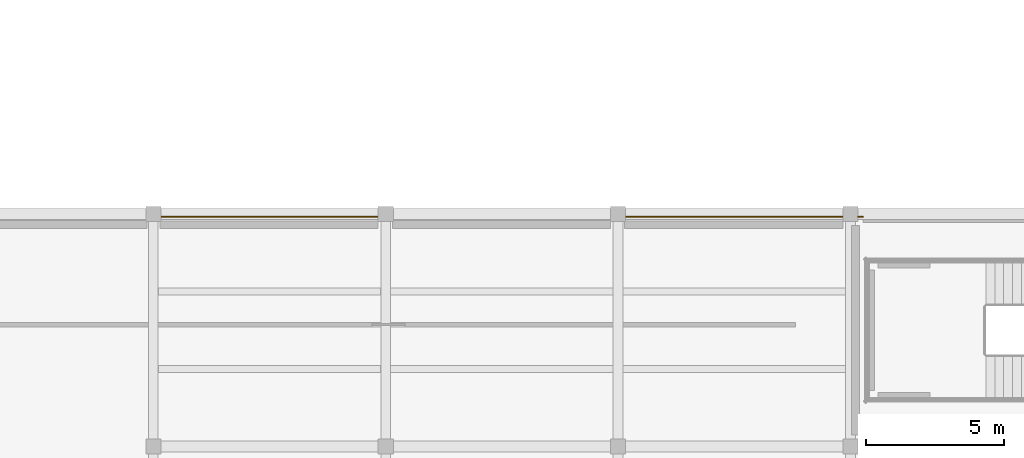
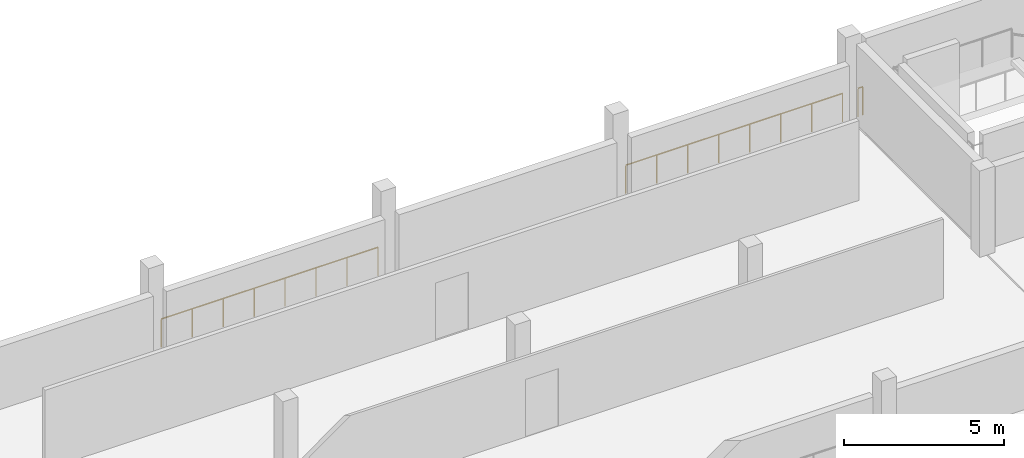
# One storey, part 42 of 43: 3 railings.
"""IFC4 building model written with IfcOpenShell, lengths in metres."""

from ifc_helpers import new_model, si_unit, derived_unit, direction, frame, origin, origin_2d, place, context, subcontext, project, spatial, circle, extrude, material, type_object, element, save


model = new_model("IFC4")

# Units and contexts
model_context = context("Model", 3, precision=1e-05, world=origin(), true_north=direction((0.0, 1.0)))
body_context = subcontext(model_context, "Body", "Model", "MODEL_VIEW")
ifc_project = project(units=[si_unit("LENGTHUNIT", "METRE"), si_unit("AREAUNIT", "SQUARE_METRE"), si_unit("VOLUMEUNIT", "CUBIC_METRE"), si_unit("PLANEANGLEUNIT", "RADIAN"), si_unit("MASSUNIT", "GRAM", prefix="KILO"), derived_unit("THERMALTRANSMITTANCEUNIT", [(si_unit("POWERUNIT", "WATT"), 1), (si_unit("LENGTHUNIT", "METRE"), -2), (si_unit("THERMODYNAMICTEMPERATUREUNIT", "KELVIN"), -1)])], contexts=[model_context])

# Site, building, storey
site_placement = place(None, origin())
site = spatial("IfcSite", under=ifc_project, at=site_placement, CompositionType="ELEMENT")
building_placement = place(site_placement, origin())
building = spatial("IfcBuilding", under=site, at=building_placement, Name="Elbkamm Science Centre", CompositionType="ELEMENT")
storey_placement = place(building_placement, frame((0.0, 0.0, 18.300048828125)))
storey = spatial("IfcBuildingStorey", under=building, at=storey_placement, Name="L04", CompositionType="ELEMENT", Elevation=18.300048828125)

# Railings
ifc_material = material(Name="Stainless steel EN 1.4401", Category="steel")
railing_type = type_object("IfcRailingType", Name="RAIL-EXT-GUARD-1100", PredefinedType="GUARDRAIL", material=ifc_material)
railing_1_placement = place(storey_placement, frame((101.080078125, 58.699951171875, 0.0)))
element("IfcRailing", 1, at=railing_1_placement, inside=storey, type_object=railing_type, Name="L04 Slab Edge Perimeter Guard 101", PredefinedType="GUARDRAIL", context=body_context, shape_type="SweptSolid", body=[
    extrude(circle(Radius=0.02392578125, at=origin_2d()), frame((0.0, 0.0, 1.078125), z_axis=(1.0, 0.0, 0.0), x_axis=(0.0, 1.0, 0.0)), (0.0, 0.0, 1.0), 7.83984375),
    extrude(circle(Radius=0.02001953125, at=origin_2d()), origin(), (0.0, 0.0, 1.0), 1.048095703125),
    extrude(circle(Radius=0.02001953125, at=origin_2d()), frame((1.119873046875, 0.0, 0.0)), (0.0, 0.0, 1.0), 1.048095703125),
    extrude(circle(Radius=0.02001953125, at=origin_2d()), frame((2.239990234375, 0.0, 0.0)), (0.0, 0.0, 1.0), 1.048095703125),
    extrude(circle(Radius=0.02001953125, at=origin_2d()), frame((3.35986328125, 0.0, 0.0)), (0.0, 0.0, 1.0), 1.048095703125),
    extrude(circle(Radius=0.02001953125, at=origin_2d()), frame((4.47998046875, 0.0, 0.0)), (0.0, 0.0, 1.0), 1.048095703125),
    extrude(circle(Radius=0.02001953125, at=origin_2d()), frame((5.599853515625, 0.0, 0.0)), (0.0, 0.0, 1.0), 1.048095703125),
    extrude(circle(Radius=0.02001953125, at=origin_2d()), frame((6.719970703125, 0.0, 0.0)), (0.0, 0.0, 1.0), 1.048095703125),
    extrude(circle(Radius=0.02001953125, at=origin_2d()), frame((7.83984375, 0.0, 0.0)), (0.0, 0.0, 1.0), 1.048095703125),
])
railing_2_placement = place(storey_placement, frame((117.8798828125, 58.699951171875, 0.0)))
element("IfcRailing", 2, at=railing_2_placement, inside=storey, type_object=railing_type, Name="L04 Slab Edge Perimeter Guard 102", PredefinedType="GUARDRAIL", context=body_context, shape_type="SweptSolid", body=[
    extrude(circle(Radius=0.02392578125, at=origin_2d()), frame((0.0, 0.0, 1.078125), z_axis=(1.0, 0.0, 0.0), x_axis=(0.0, 1.0, 0.0)), (0.0, 0.0, 1.0), 7.840087890625),
    extrude(circle(Radius=0.02001953125, at=origin_2d()), origin(), (0.0, 0.0, 1.0), 1.048095703125),
    extrude(circle(Radius=0.02001953125, at=origin_2d()), frame((1.1201171875, 0.0, 0.0)), (0.0, 0.0, 1.0), 1.048095703125),
    extrude(circle(Radius=0.02001953125, at=origin_2d()), frame((2.239990234375, 0.0, 0.0)), (0.0, 0.0, 1.0), 1.048095703125),
    extrude(circle(Radius=0.02001953125, at=origin_2d()), frame((3.360107421875, 0.0, 0.0)), (0.0, 0.0, 1.0), 1.048095703125),
    extrude(circle(Radius=0.02001953125, at=origin_2d()), frame((4.47998046875, 0.0, 0.0)), (0.0, 0.0, 1.0), 1.048095703125),
    extrude(circle(Radius=0.02001953125, at=origin_2d()), frame((5.60009765625, 0.0, 0.0)), (0.0, 0.0, 1.0), 1.048095703125),
    extrude(circle(Radius=0.02001953125, at=origin_2d()), frame((6.719970703125, 0.0, 0.0)), (0.0, 0.0, 1.0), 1.048095703125),
    extrude(circle(Radius=0.02001953125, at=origin_2d()), frame((7.840087890625, 0.0, 0.0)), (0.0, 0.0, 1.0), 1.048095703125),
])
railing_3_placement = place(storey_placement, frame((126.280029296875, 58.699951171875, 0.0)))
element("IfcRailing", 3, at=railing_3_placement, inside=storey, type_object=railing_type, Name="L04 Slab Edge Perimeter Guard 103", PredefinedType="GUARDRAIL", context=body_context, shape_type="SweptSolid", body=[
    extrude(circle(Radius=0.02392578125, at=origin_2d()), frame((0.0, 0.0, 1.078125), z_axis=(1.0, 0.0, 0.0), x_axis=(0.0, 1.0, 0.0)), (0.0, 0.0, 1.0), 0.169921875),
    extrude(circle(Radius=0.02001953125, at=origin_2d()), origin(), (0.0, 0.0, 1.0), 1.048095703125),
    extrude(circle(Radius=0.02001953125, at=origin_2d()), frame((0.169921875, 0.0, 0.0)), (0.0, 0.0, 1.0), 1.048095703125),
])

save(model, "model.ifc")
